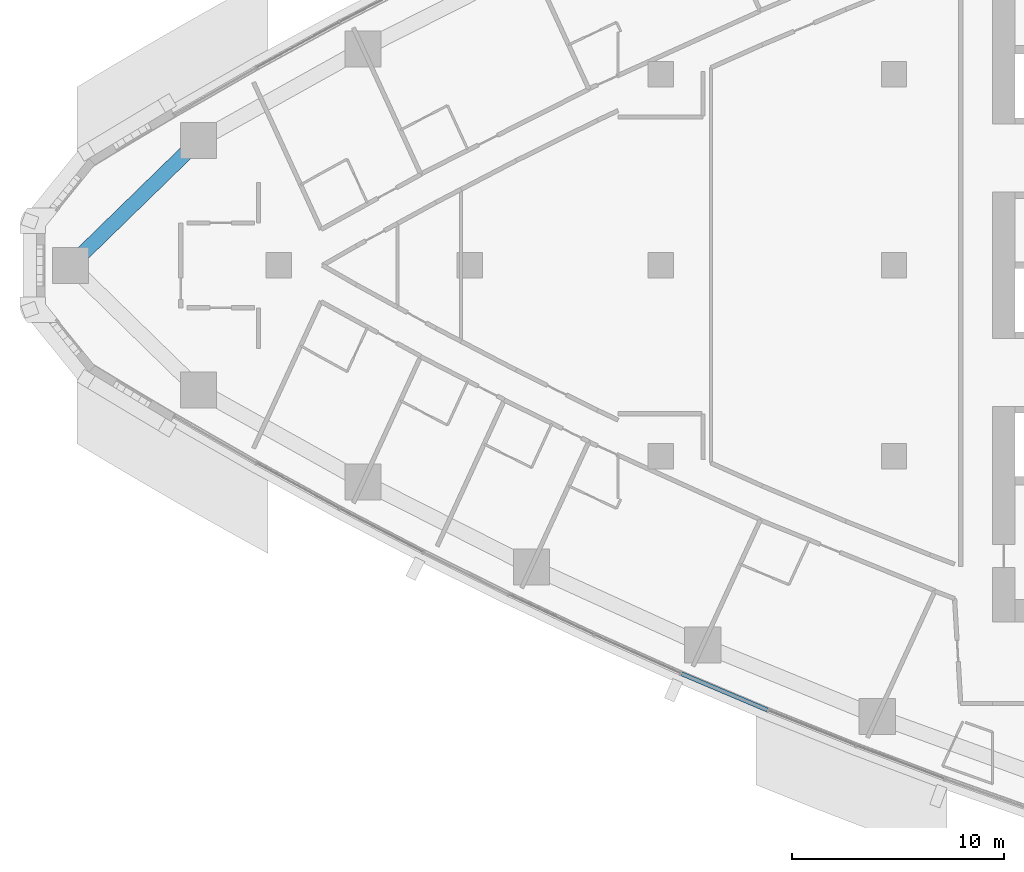
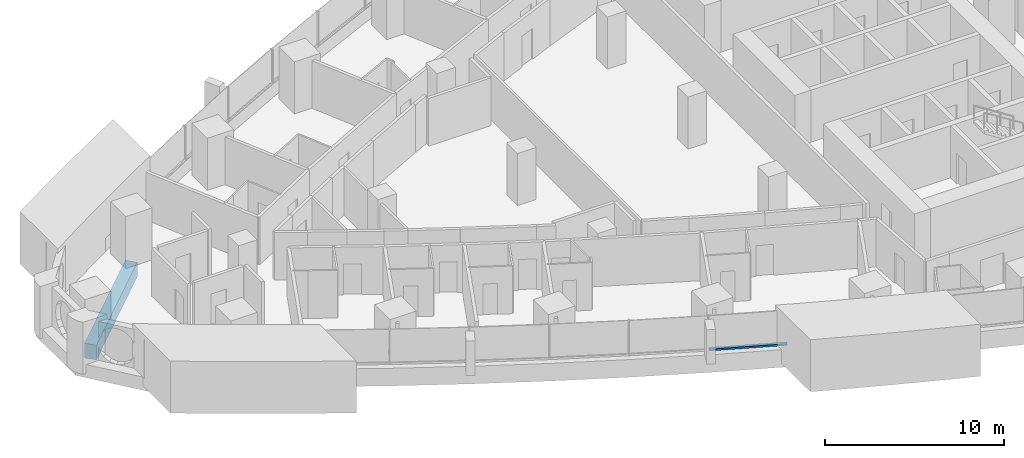
# One storey, part 3 of 17: 1 beam, 1 member, 1 element without a shape of its own.
"""IFC4 building model written with IfcOpenShell, lengths in metres."""

from ifc_helpers import new_model, si_unit, direction, frame, origin, origin_2d, place, context, subcontext, project, spatial, rectangle, extrude, material, layer, layer_set, material_profile, profile_set, type_object, element, aggregate, save


model = new_model("IFC4")

# Units and contexts
model_context = context("Model", 3, precision=1e-05, world=origin(), true_north=direction((0.0, 1.0)))
body_context = subcontext(model_context, "Body", "Model", "MODEL_VIEW")
ifc_project = project(units=[si_unit("LENGTHUNIT", "METRE"), si_unit("AREAUNIT", "SQUARE_METRE"), si_unit("VOLUMEUNIT", "CUBIC_METRE"), si_unit("PLANEANGLEUNIT", "RADIAN"), si_unit("MASSUNIT", "GRAM", prefix="KILO")], contexts=[model_context])

# Site, building, storey
site_placement = place(None, origin())
site = spatial("IfcSite", under=ifc_project, at=site_placement, CompositionType="ELEMENT")
building_placement = place(site_placement, origin())
building = spatial("IfcBuilding", under=site, at=building_placement, Name="Ostrand Prow Hotel Tower", CompositionType="ELEMENT")
storey_placement = place(building_placement, frame((0.0, 0.0, 95.550048828125)))
storey = spatial("IfcBuildingStorey", under=building, at=storey_placement, Name="L22", CompositionType="ELEMENT", Elevation=95.550048828125)

# Beam
ifc_material_1 = material(Name="Concrete C80/95", Category="concrete")
ifc_material_profile_1 = material_profile(ifc_material_1, rectangle(XDim=0.699951171875, YDim=1.0, at=origin_2d()), Name="RC 700x1000")
ifc_profile_set_1 = profile_set([ifc_material_profile_1], Name="Concrete C80/95")
beam_type = type_object("IfcBeamType", Name="Edge beam 700x1000 C80/95", PredefinedType="SPANDREL", material=ifc_profile_set_1)
beam_placement = place(storey_placement, frame((12.221435546875, 5.876220703125, -0.800048828125), z_axis=(-0.716082759826, -0.698015387423, 0.0), x_axis=(0.698015387423, -0.716082759826, 0.0)))
element("IfcBeam", 1, at=beam_placement, inside=storey, type_object=beam_type, Name="Edge beam N6-P", PredefinedType="SPANDREL", context=body_context, shape_type="SweptSolid", body=[
    extrude(rectangle(XDim=0.699951171875, YDim=1.0, at=origin_2d()), origin(), (0.0, 0.0, 1.0), 8.41845703125),
])

# Curtain wall, member
ifc_material_2 = material(Name="Insulated glass in bronze anodised frame", Category="glass")
ifc_layer = layer(ifc_material_2, 0.199951171875)
ifc_layer_set = layer_set([ifc_layer], Name="Insulated glass in bronze anodised frame")
curtain_wall_type = type_object("IfcCurtainWallType", Name="Strip curtain wall, fritted glass over bronze spandrel", PredefinedType="NOTDEFINED", material=ifc_layer_set)
curtain_wall_placement = place(storey_placement, origin())
curtain_wall = element("IfcCurtainWall", 2, at=curtain_wall_placement, inside=storey, type_object=curtain_wall_type, Name="CW1 run CWS4", PredefinedType="NOTDEFINED")
ifc_material_3 = material(Name="Bronze anodised aluminium", Category="aluminium")
ifc_material_profile_2 = material_profile(ifc_material_3, rectangle(XDim=0.199951171875, YDim=0.1201171875, at=origin_2d()), Name="Transom 120x200 bronze anodised aluminium")
ifc_profile_set_2 = profile_set([ifc_material_profile_2], Name="Bronze anodised aluminium")
member_type = type_object("IfcMemberType", Name="Transom 120x200 bronze anodised aluminium", PredefinedType="USERDEFINED", material=ifc_profile_set_2)
member_placement = place(storey_placement, frame((34.978271484375, -19.24462890625, 0.9599609375), z_axis=(0.921006250528, -0.389547797438, 0.0), x_axis=(0.389547797438, 0.921006250528, 0.0)))
member = element("IfcMember", 3, at=member_placement, type_object=member_type, Name="CW1 transom 1.1", ObjectType="TRANSOM", PredefinedType="USERDEFINED", context=body_context, shape_type="SweptSolid", body=[
    extrude(rectangle(XDim=0.199951171875, YDim=0.1201171875, at=origin_2d()), origin(), (0.0, 0.0, 1.0), 4.406005859375),
])
aggregate(curtain_wall, [member])

save(model, "model.ifc")
